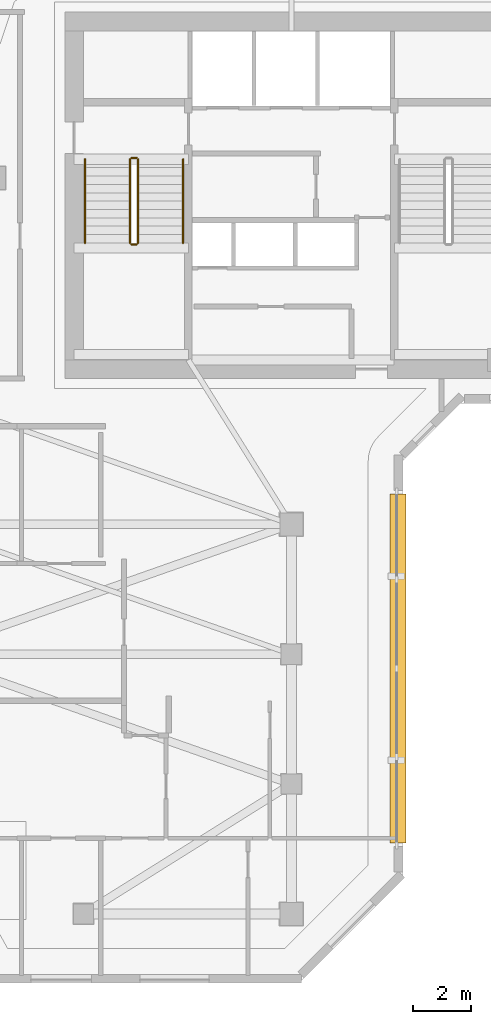
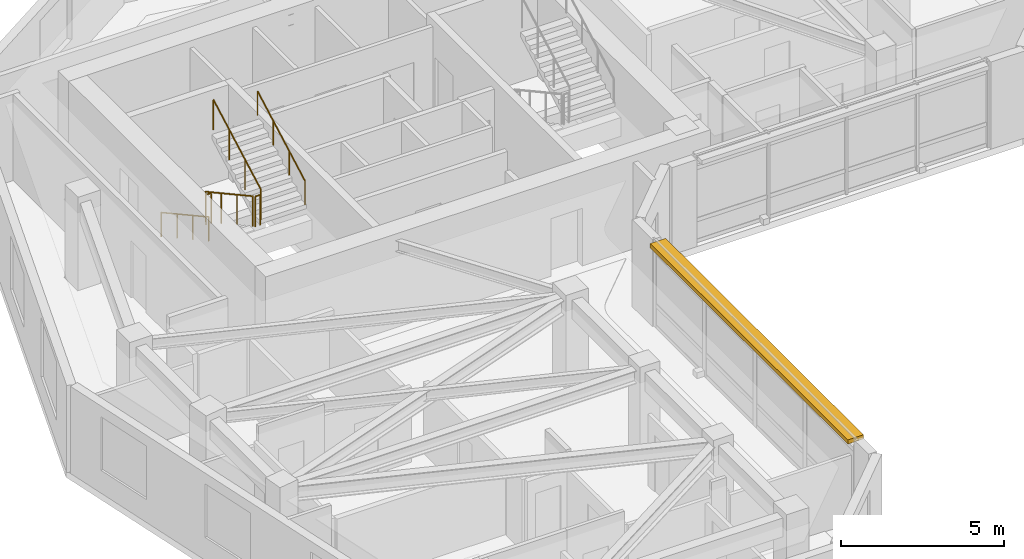
# One storey, part 8 of 10: 6 railings, 1 shading device.
"""IFC4 building model written with IfcOpenShell, lengths in metres."""

from ifc_helpers import new_model, si_unit, direction, frame, frame_2d, origin, origin_2d, place, context, subcontext, project, spatial, rectangle, circle, extrude, material, type_object, element, save


model = new_model("IFC4")

# Units and contexts
model_context = context("Model", 3, precision=1e-05, world=origin(), true_north=direction((0.0, 1.0)))
body_context = subcontext(model_context, "Body", "Model", "MODEL_VIEW")
ifc_project = project(units=[si_unit("LENGTHUNIT", "METRE"), si_unit("AREAUNIT", "SQUARE_METRE"), si_unit("VOLUMEUNIT", "CUBIC_METRE"), si_unit("PLANEANGLEUNIT", "RADIAN"), si_unit("MASSUNIT", "GRAM", prefix="KILO")], contexts=[model_context])

# Site, building, storey
site_placement = place(None, origin())
site = spatial("IfcSite", under=ifc_project, at=site_placement, CompositionType="ELEMENT")
building_placement = place(site_placement, origin())
building = spatial("IfcBuilding", under=site, at=building_placement, Name="Calvemar Wedge Station Tower", CompositionType="ELEMENT")
storey_placement = place(building_placement, frame((0.0, 0.0, 214.89990234375)))
storey = spatial("IfcBuildingStorey", under=building, at=storey_placement, Name="L54", CompositionType="ELEMENT", Elevation=214.89990234375)

# Railings
ifc_material_1 = material(Name="Stainless steel AISI 316L", Category="steel")
railing_type_1 = type_object("IfcRailingType", Name="RL-HANDRAIL-920", PredefinedType="HANDRAIL", material=ifc_material_1)
railing_1_placement = place(storey_placement, frame((16.64990234375, 41.14990234375, 0.1591796875)))
element("IfcRailing", 1, at=railing_1_placement, inside=storey, type_object=railing_type_1, Name="L54 ST-C1 stair handrail 1", PredefinedType="HANDRAIL", context=body_context, shape_type="SweptSolid", body=[
    extrude(circle(Radius=0.02392578125, at=origin_2d()), frame((0.0, 0.0, 0.89599609375), z_axis=(0.0, -0.876742130028, 0.480960744171), x_axis=(1.0, 0.0, 0.0)), (0.0, 0.0, 1.0), 3.3076171875),
    extrude(circle(Radius=0.02099609375, at=origin_2d()), origin(), (0.0, 0.0, 1.0), 0.871826171875),
    extrude(circle(Radius=0.02099609375, at=origin_2d()), frame((0.0, -0.966552734375, 0.5302734375)), (0.0, 0.0, 1.0), 0.871826171875),
    extrude(circle(Radius=0.02099609375, at=origin_2d()), frame((0.0, -1.933349609375, 1.060546875)), (0.0, 0.0, 1.0), 0.871826171875),
    extrude(circle(Radius=0.02099609375, at=origin_2d()), frame((0.0, -2.89990234375, 1.5908203125)), (0.0, 0.0, 1.0), 0.871826171875),
])
railing_2_placement = place(storey_placement, frame((20.050048828125, 38.25, 1.9091796875)))
element("IfcRailing", 2, at=railing_2_placement, inside=storey, type_object=railing_type_1, Name="L54 ST-C1 stair handrail 2", PredefinedType="HANDRAIL", context=body_context, shape_type="SweptSolid", body=[
    extrude(circle(Radius=0.02392578125, at=origin_2d()), frame((0.0, 0.0, 0.89599609375), z_axis=(0.0, 0.876742130028, 0.480960744171), x_axis=(-1.0, 0.0, 0.0)), (0.0, 0.0, 1.0), 3.3076171875),
    extrude(circle(Radius=0.02099609375, at=origin_2d()), origin(), (0.0, 0.0, 1.0), 0.871826171875),
    extrude(circle(Radius=0.02099609375, at=origin_2d()), frame((0.0, 0.966552734375, 0.5302734375)), (0.0, 0.0, 1.0), 0.871826171875),
    extrude(circle(Radius=0.02099609375, at=origin_2d()), frame((0.0, 1.933349609375, 1.060546875)), (0.0, 0.0, 1.0), 0.871826171875),
    extrude(circle(Radius=0.02099609375, at=origin_2d()), frame((0.0, 2.89990234375, 1.5908203125)), (0.0, 0.0, 1.0), 0.871826171875),
])
ifc_material_2 = material(Name="Painted steel guardrail ASTM A500 Grade C", Category="steel")
railing_type_2 = type_object("IfcRailingType", Name="RL-STAIR-GUARD-1150", PredefinedType="GUARDRAIL", material=ifc_material_2)
railing_3_placement = place(storey_placement, frame((18.2099609375, 41.14990234375, 0.1591796875)))
element("IfcRailing", 3, at=railing_3_placement, inside=storey, type_object=railing_type_2, Name="L54 ST-C1 stair guard 1", PredefinedType="GUARDRAIL", context=body_context, shape_type="SweptSolid", body=[
    extrude(circle(Radius=0.02392578125, at=origin_2d()), frame((0.0, 0.0, 1.1259765625), z_axis=(0.0, -0.876742130028, 0.480960744171), x_axis=(1.0, 0.0, 0.0)), (0.0, 0.0, 1.0), 3.3076171875),
    extrude(circle(Radius=0.02099609375, at=origin_2d()), origin(), (0.0, 0.0, 1.0), 1.101806640625),
    extrude(circle(Radius=0.02099609375, at=origin_2d()), frame((0.0, -0.966552734375, 0.5302734375)), (0.0, 0.0, 1.0), 1.101806640625),
    extrude(circle(Radius=0.02099609375, at=origin_2d()), frame((0.0, -1.933349609375, 1.060546875)), (0.0, 0.0, 1.0), 1.101806640625),
    extrude(circle(Radius=0.02099609375, at=origin_2d()), frame((0.0, -2.89990234375, 1.5908203125)), (0.0, 0.0, 1.0), 1.101806640625),
])
railing_4_placement = place(storey_placement, frame((18.260009765625, 38.199951171875, 1.75)))
element("IfcRailing", 4, at=railing_4_placement, inside=storey, type_object=railing_type_2, Name="L54 ST-C1 stair guard 2", PredefinedType="GUARDRAIL", context=body_context, shape_type="SweptSolid", body=[
    extrude(circle(Radius=0.02392578125, at=origin_2d()), frame((0.0, 0.0, 1.1259765625), z_axis=(1.0, 0.0, 0.0), x_axis=(0.0, 1.0, 0.0)), (0.0, 0.0, 1.0), 0.179931640625),
    extrude(circle(Radius=0.02099609375, at=origin_2d()), origin(), (0.0, 0.0, 1.0), 1.101806640625),
    extrude(circle(Radius=0.02099609375, at=origin_2d()), frame((0.179931640625, 0.0, 0.0)), (0.0, 0.0, 1.0), 1.101806640625),
])
railing_5_placement = place(storey_placement, frame((18.489990234375, 38.25, 1.9091796875)))
element("IfcRailing", 5, at=railing_5_placement, inside=storey, type_object=railing_type_2, Name="L54 ST-C1 stair guard 3", PredefinedType="GUARDRAIL", context=body_context, shape_type="SweptSolid", body=[
    extrude(circle(Radius=0.02392578125, at=origin_2d()), frame((0.0, 0.0, 1.1259765625), z_axis=(0.0, 0.876742130028, 0.480960744171), x_axis=(-1.0, 0.0, 0.0)), (0.0, 0.0, 1.0), 3.3076171875),
    extrude(circle(Radius=0.02099609375, at=origin_2d()), origin(), (0.0, 0.0, 1.0), 1.101806640625),
    extrude(circle(Radius=0.02099609375, at=origin_2d()), frame((0.0, 0.966552734375, 0.5302734375)), (0.0, 0.0, 1.0), 1.101806640625),
    extrude(circle(Radius=0.02099609375, at=origin_2d()), frame((0.0, 1.933349609375, 1.060546875)), (0.0, 0.0, 1.0), 1.101806640625),
    extrude(circle(Radius=0.02099609375, at=origin_2d()), frame((0.0, 2.89990234375, 1.5908203125)), (0.0, 0.0, 1.0), 1.101806640625),
])
railing_6_placement = place(storey_placement, frame((18.260009765625, 41.199951171875, 0.0)))
element("IfcRailing", 6, at=railing_6_placement, inside=storey, type_object=railing_type_2, Name="L54 ST-C1 stair guard 4", PredefinedType="GUARDRAIL", context=body_context, shape_type="SweptSolid", body=[
    extrude(circle(Radius=0.02392578125, at=origin_2d()), frame((0.0, 0.0, 1.1259765625), z_axis=(1.0, 0.0, 0.0), x_axis=(0.0, 1.0, 0.0)), (0.0, 0.0, 1.0), 0.179931640625),
    extrude(circle(Radius=0.02099609375, at=origin_2d()), origin(), (0.0, 0.0, 1.0), 1.101806640625),
    extrude(circle(Radius=0.02099609375, at=origin_2d()), frame((0.179931640625, 0.0, 0.0)), (0.0, 0.0, 1.0), 1.101806640625),
])

# Shading device
ifc_material_3 = material(Name="Precast concrete C45", Category="concrete")
shading_device_type = type_object("IfcShadingDeviceType", Name="SHD-EYEBROW-1", PredefinedType="SHUTTER", material=ifc_material_3)
shading_device_placement = place(storey_placement, frame((27.493896484375, 17.462158203125, 3.070068359375), z_axis=(0.0, 0.0, 1.0), x_axis=(0.0, 1.0, 0.0)))
element("IfcShadingDevice", 7, at=shading_device_placement, inside=storey, type_object=shading_device_type, Name="Storey L54 Bronze GFRC Solar Eyebrow 4", PredefinedType="SHUTTER", context=body_context, shape_type="SweptSolid", body=[
    extrude(rectangle(XDim=12.092041015625, YDim=0.550048828125, at=frame_2d((6.0458984375, 0.0))), origin(), (0.0, 0.0, 1.0), 0.159912109375),
])

save(model, "model.ifc")
